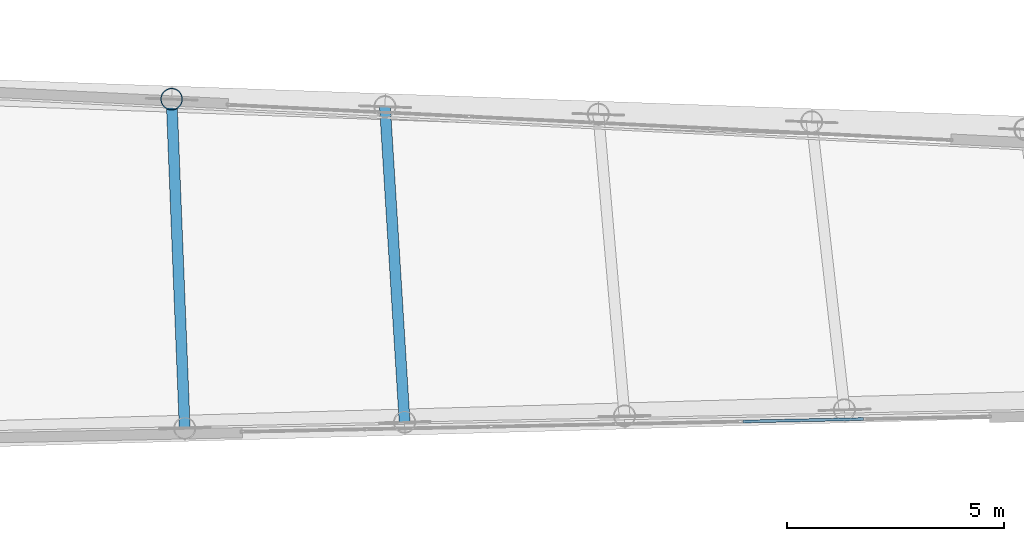
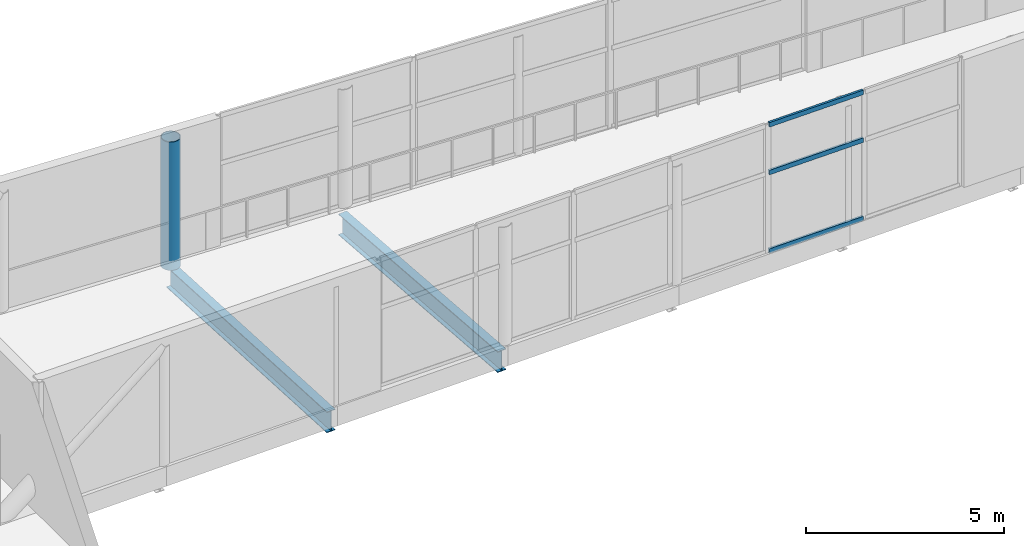
# One storey, part 5 of 23: 4 members, 2 beams, 1 element without a shape of its own.
"""IFC4 building model written with IfcOpenShell, lengths in metres."""

from ifc_helpers import new_model, si_unit, direction, frame, origin, origin_2d, place, context, subcontext, project, spatial, hollow_rectangle, hollow_circle, i_section, extrude, material, layer, layer_set, material_profile, profile_set, type_object, element, aggregate, save


model = new_model("IFC4")

# Units and contexts
model_context = context("Model", 3, precision=1e-05, world=origin(), true_north=direction((0.0, 1.0)))
body_context = subcontext(model_context, "Body", "Model", "MODEL_VIEW")
ifc_project = project(units=[si_unit("LENGTHUNIT", "METRE"), si_unit("AREAUNIT", "SQUARE_METRE"), si_unit("VOLUMEUNIT", "CUBIC_METRE"), si_unit("PLANEANGLEUNIT", "RADIAN"), si_unit("MASSUNIT", "GRAM", prefix="KILO")], contexts=[model_context])

# Site, building, storey
site_placement = place(None, origin())
site = spatial("IfcSite", under=ifc_project, at=site_placement, CompositionType="ELEMENT")
building_placement = place(site_placement, origin())
building = spatial("IfcBuilding", under=site, at=building_placement, Name="Haevon Station Towers", CompositionType="ELEMENT")
storey_placement = place(building_placement, frame((0.0, 0.0, 197.10009765625)))
storey = spatial("IfcBuildingStorey", under=building, at=storey_placement, Name="L54", CompositionType="ELEMENT", Elevation=197.10009765625)

# Beams
ifc_material_1 = material(Name="Steel S355", Category="steel")
ifc_material_profile_1 = material_profile(ifc_material_1, i_section(OverallWidth=0.25, OverallDepth=0.64990234375, WebThickness=0.012939453125, FlangeThickness=0.02197265625, at=origin_2d()), Name="H-650x250x13x22")
ifc_profile_set_1 = profile_set([ifc_material_profile_1], Name="Steel S355")
beam_type = type_object("IfcBeamType", Name="BM-G650", PredefinedType="BEAM", material=ifc_profile_set_1)
beam_1_placement = place(storey_placement, frame((66.637451171875, 30.28369140625, -0.625), z_axis=(-0.039807132798, 0.999207381968, 0.0), x_axis=(-0.999207381968, -0.039807132798, 0.0)))
element("IfcBeam", 1, at=beam_1_placement, inside=storey, type_object=beam_type, Name="BM-SKP-L54-2", PredefinedType="BEAM", context=body_context, shape_type="SweptSolid", body=[
    extrude(i_section(OverallWidth=0.25, OverallDepth=0.64990234375, WebThickness=0.012939453125, FlangeThickness=0.02197265625, at=origin_2d()), origin(), (0.0, 0.0, 1.0), 7.574462890625),
])
beam_2_placement = place(storey_placement, frame((71.693603515625, 30.425537109375, -0.625), z_axis=(-0.062221412816, 0.99806237069, 0.0), x_axis=(-0.99806237069, -0.062221412816, 0.0)))
element("IfcBeam", 2, at=beam_2_placement, inside=storey, type_object=beam_type, Name="BM-SKP-L54-3", PredefinedType="BEAM", context=body_context, shape_type="SweptSolid", body=[
    extrude(i_section(OverallWidth=0.25, OverallDepth=0.64990234375, WebThickness=0.012939453125, FlangeThickness=0.02197265625, at=origin_2d()), origin(), (0.0, 0.0, 1.0), 7.266845703125),
])

# Curtain wall, members
ifc_material_2 = material(Name="Anodised aluminium and Low-E double glazing", Category="aluminium")
ifc_layer = layer(ifc_material_2, 0.179931640625)
ifc_layer_set = layer_set([ifc_layer], Name="Anodised aluminium and Low-E double glazing")
curtain_wall_type = type_object("IfcCurtainWallType", Name="CW-SYS6", PredefinedType="NOTDEFINED", material=ifc_layer_set)
curtain_wall_placement = place(storey_placement, origin())
curtain_wall = element("IfcCurtainWall", 3, at=curtain_wall_placement, inside=storey, type_object=curtain_wall_type, Name="L54 Curtain Wall CW-SKP-L54-S3", PredefinedType="NOTDEFINED")
ifc_material_3 = material(Name="Anodised aluminium 6063-T6", Category="aluminium")
ifc_material_profile_2 = material_profile(ifc_material_3, hollow_rectangle(XDim=0.06494140625, YDim=0.139892578125, WallThickness=0.00341796875, at=origin_2d()), Name="CWT-140x65x3.5")
ifc_profile_set_2 = profile_set([ifc_material_profile_2], Name="Anodised aluminium 6063-T6")
member_type_1 = type_object("IfcMemberType", Name="CWT-140", PredefinedType="USERDEFINED", material=ifc_profile_set_2)
member_1_placement = place(storey_placement, frame((79.469482421875, 30.43994140625, 0.032470703125), z_axis=(0.999793136003, 0.020339252701, 0.0), x_axis=(-0.020339252701, 0.999793136003, 0.0)))
member_1 = element("IfcMember", 4, at=member_1_placement, type_object=member_type_1, Name="CW-SYS6 transom 1.1", ObjectType="TRANSOM", PredefinedType="USERDEFINED", context=body_context, shape_type="SweptSolid", body=[
    extrude(hollow_rectangle(XDim=0.06494140625, YDim=0.139892578125, WallThickness=0.00341796875, at=origin_2d()), origin(), (0.0, 0.0, 1.0), 2.772705078125),
])
member_2_placement = place(storey_placement, frame((79.469482421875, 30.43994140625, 2.448974609375), z_axis=(0.999793136003, 0.020339252701, 0.0), x_axis=(-0.020339252701, 0.999793136003, 0.0)))
member_2 = element("IfcMember", 5, at=member_2_placement, type_object=member_type_1, Name="CW-SYS6 transom 1.2", ObjectType="TRANSOM", PredefinedType="USERDEFINED", context=body_context, shape_type="SweptSolid", body=[
    extrude(hollow_rectangle(XDim=0.06494140625, YDim=0.139892578125, WallThickness=0.00341796875, at=origin_2d()), origin(), (0.0, 0.0, 1.0), 2.772705078125),
])
member_3_placement = place(storey_placement, frame((79.469482421875, 30.43994140625, 3.91748046875), z_axis=(0.999793136003, 0.020339252701, 0.0), x_axis=(-0.020339252701, 0.999793136003, 0.0)))
member_3 = element("IfcMember", 6, at=member_3_placement, type_object=member_type_1, Name="CW-SYS6 transom 1.3", ObjectType="TRANSOM", PredefinedType="USERDEFINED", context=body_context, shape_type="SweptSolid", body=[
    extrude(hollow_rectangle(XDim=0.06494140625, YDim=0.139892578125, WallThickness=0.00341796875, at=origin_2d()), origin(), (0.0, 0.0, 1.0), 2.772705078125),
])
aggregate(curtain_wall, [member_1, member_2, member_3])

# Member
ifc_material_4 = material(Name="Steel S460", Category="steel")
ifc_material_profile_3 = material_profile(ifc_material_4, hollow_circle(Radius=0.25390625, WallThickness=0.02197265625, at=origin_2d()), Name="CHS-508x22")
ifc_profile_set_3 = profile_set([ifc_material_profile_3], Name="Steel S460")
member_type_2 = type_object("IfcMemberType", Name="PSSKP-508", PredefinedType="POST", material=ifc_profile_set_3)
member_4_placement = place(storey_placement, frame((66.3359375, 37.85205078125, -0.300048828125), z_axis=(0.0, 0.0, 1.0), x_axis=(1.0, 0.0, 0.0)))
element("IfcMember", 7, at=member_4_placement, inside=storey, type_object=member_type_2, Name="PS-SKP-N-L54-3", PredefinedType="POST", context=body_context, shape_type="SweptSolid", body=[
    extrude(hollow_circle(Radius=0.25390625, WallThickness=0.02197265625, at=origin_2d()), origin(), (0.0, 0.0, 1.0), 3.949951171875),
])

save(model, "model.ifc")
